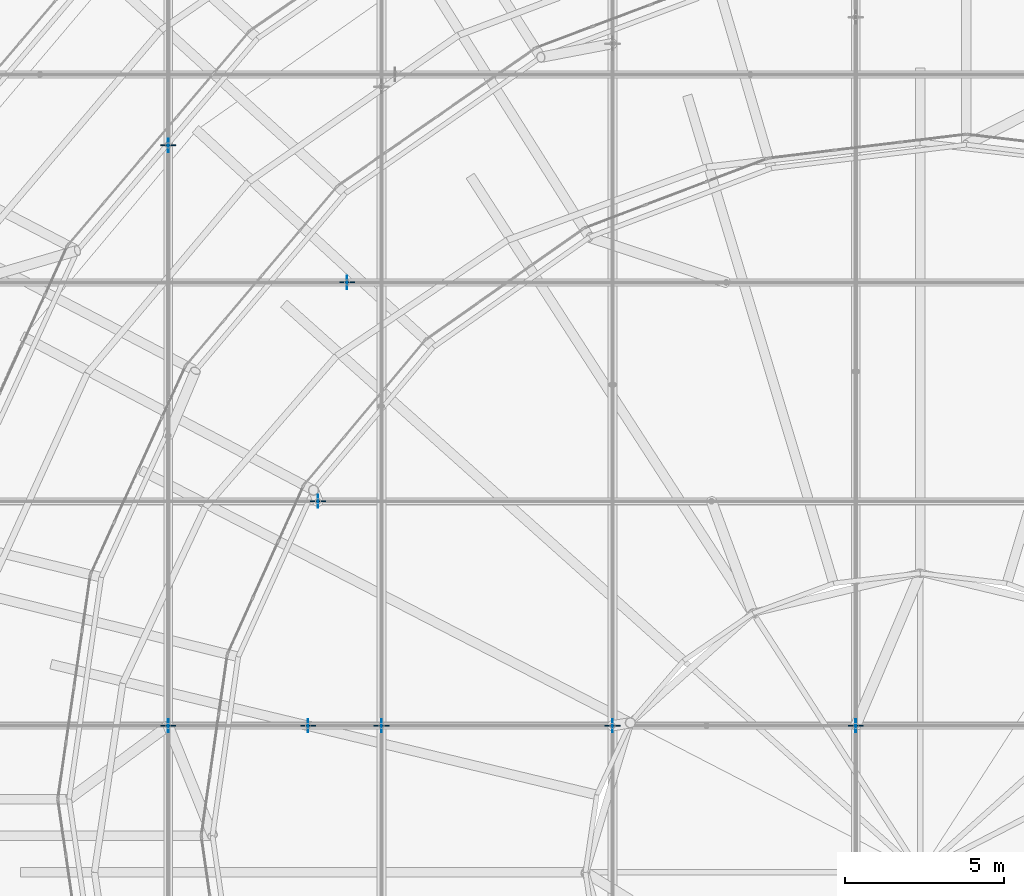
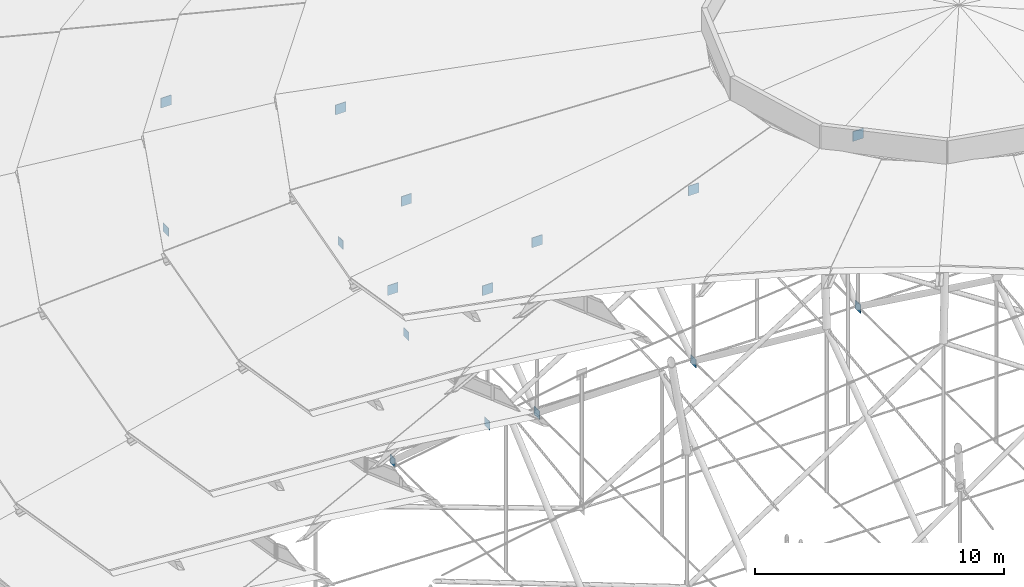
# One storey, part 163 of 173: 16 plates.
"""IFC4 building model written with IfcOpenShell, lengths in metres."""

from ifc_helpers import new_model, si_unit, direction, frame, origin, origin_2d, place, context, subcontext, project, spatial, rectangle, extrude, material, layer, layer_set, type_object, element, save


model = new_model("IFC4")

# Units and contexts
model_context = context("Model", 3, precision=1e-05, world=origin(), true_north=direction((0.0, 1.0)))
body_context = subcontext(model_context, "Body", "Model", "MODEL_VIEW")
ifc_project = project(units=[si_unit("LENGTHUNIT", "METRE"), si_unit("AREAUNIT", "SQUARE_METRE"), si_unit("VOLUMEUNIT", "CUBIC_METRE"), si_unit("PLANEANGLEUNIT", "RADIAN"), si_unit("MASSUNIT", "GRAM", prefix="KILO")], contexts=[model_context])

# Site, building, storey
site_placement = place(None, origin())
site = spatial("IfcSite", under=ifc_project, at=site_placement, CompositionType="ELEMENT")
building_placement = place(site_placement, origin())
building = spatial("IfcBuilding", under=site, at=building_placement, Name="Glasvene Arena", CompositionType="ELEMENT")
storey_placement = place(building_placement, frame((0.0, 0.0, 28.800048828125)))
storey = spatial("IfcBuildingStorey", under=building, at=storey_placement, Name="RF", CompositionType="ELEMENT", Elevation=28.800048828125)

# Plates
ifc_material = material(Name="Steel S355J2", Category="steel")
ifc_layer_1 = layer(ifc_material, 0.031982421875)
ifc_layer_set_1 = layer_set([ifc_layer_1], Name="Steel S355J2")
plate_type_1 = type_object("IfcPlateType", Name="PL-GUSSET-32", PredefinedType="USERDEFINED", material=ifc_layer_set_1)
for number, where, z_axis, x_axis, name in (
    (1, (84.17822265625, 73.0, 5.780029296875), (0.0, 0.0, 1.0), (1.0, 0.0, 0.0), "Cable-node clamp gusset plate CG-NS06-04"),
    (2, (76.54931640625, 73.0, 5.780029296875), (0.0, 0.0, 1.0), (1.0, 0.0, 0.0), "Cable-node clamp gusset plate CG-NS07-04"),
    (3, (69.300537109375, 73.0, 5.780029296875), (0.0, 0.0, 1.0), (1.0, 0.0, 0.0), "Cable-node clamp gusset plate CG-NS08-04"),
    (4, (62.610595703125, 73.0, 5.780029296875), (0.0, 0.0, 1.0), (1.0, 0.0, 0.0), "Cable-node clamp gusset plate CG-NS09-04"),
    (5, (62.610595703125, 91.202880859375, 3.927001953125), (0.0, 0.0, 1.0), (1.0, 0.0, 0.0), "Cable-node clamp gusset plate CG-NS09-06"),
    (6, (67.0, 73.0, 4.23291015625), (0.0, 0.0, 1.0), (1.0, 0.0, 0.0), "Cable-node clamp gusset plate CG-EW04-02"),
    (7, (67.307861328125, 80.03955078125, 4.23291015625), (0.0, 0.0, 1.0), (1.0, 0.0, 0.0), "Cable-node clamp gusset plate CG-EW05-02"),
    (8, (68.2236328125, 86.90576171875, 4.23291015625), (0.0, 0.0, 1.0), (1.0, 0.0, 0.0), "Cable-node clamp gusset plate CG-EW06-02"),
):
    element("IfcPlate", number, at=place(storey_placement, frame(where, z_axis=z_axis, x_axis=x_axis)), inside=storey, type_object=plate_type_1, Name=name, ObjectType="GUSSET PLATE", PredefinedType="USERDEFINED", context=body_context, shape_type="SweptSolid", body=[
        extrude(rectangle(XDim=0.47998046875, YDim=0.031982421875, at=origin_2d()), origin(), (0.0, 0.0, 1.0), 0.47998046875),
    ])
ifc_layer_2 = layer(ifc_material, 0.02001953125)
ifc_layer_set_2 = layer_set([ifc_layer_2], Name="Steel S355J2")
plate_type_2 = type_object("IfcPlateType", Name="PL-STIFF-20", PredefinedType="USERDEFINED", material=ifc_layer_set_2)
for number, where, z_axis, x_axis, name in (
    (9, (84.17822265625, 73.0, -2.610107421875), (0.0, 0.0, 1.0), (1.0, 0.0, 0.0), "Lower cable clamp stiffener plate CS-NS06-04"),
    (10, (76.54931640625, 73.0, -2.610107421875), (0.0, 0.0, 1.0), (1.0, 0.0, 0.0), "Lower cable clamp stiffener plate CS-NS07-04"),
    (11, (69.300537109375, 73.0, -2.610107421875), (0.0, 0.0, 1.0), (1.0, 0.0, 0.0), "Lower cable clamp stiffener plate CS-NS08-04"),
    (12, (62.610595703125, 73.0, -2.610107421875), (0.0, 0.0, 1.0), (1.0, 0.0, 0.0), "Lower cable clamp stiffener plate CS-NS09-04"),
    (13, (62.610595703125, 91.202880859375, -2.322509765625), (0.0, 0.0, 1.0), (1.0, 0.0, 0.0), "Lower cable clamp stiffener plate CS-NS09-06"),
    (14, (67.0, 73.0, -2.322509765625), (0.0, 0.0, 1.0), (1.0, 0.0, 0.0), "Lower cable clamp stiffener plate CS-EW04-02"),
    (15, (67.307861328125, 80.03955078125, -2.322509765625), (0.0, 0.0, 1.0), (1.0, 0.0, 0.0), "Lower cable clamp stiffener plate CS-EW05-02"),
    (16, (68.2236328125, 86.90576171875, -2.322509765625), (0.0, 0.0, 1.0), (1.0, 0.0, 0.0), "Lower cable clamp stiffener plate CS-EW06-02"),
):
    element("IfcPlate", number, at=place(storey_placement, frame(where, z_axis=z_axis, x_axis=x_axis)), inside=storey, type_object=plate_type_2, Name=name, ObjectType="GUSSET PLATE", PredefinedType="USERDEFINED", context=body_context, shape_type="SweptSolid", body=[
        extrude(rectangle(XDim=0.02001953125, YDim=0.419921875, at=origin_2d()), origin(), (0.0, 0.0, 1.0), 0.419921875),
    ])

save(model, "model.ifc")
